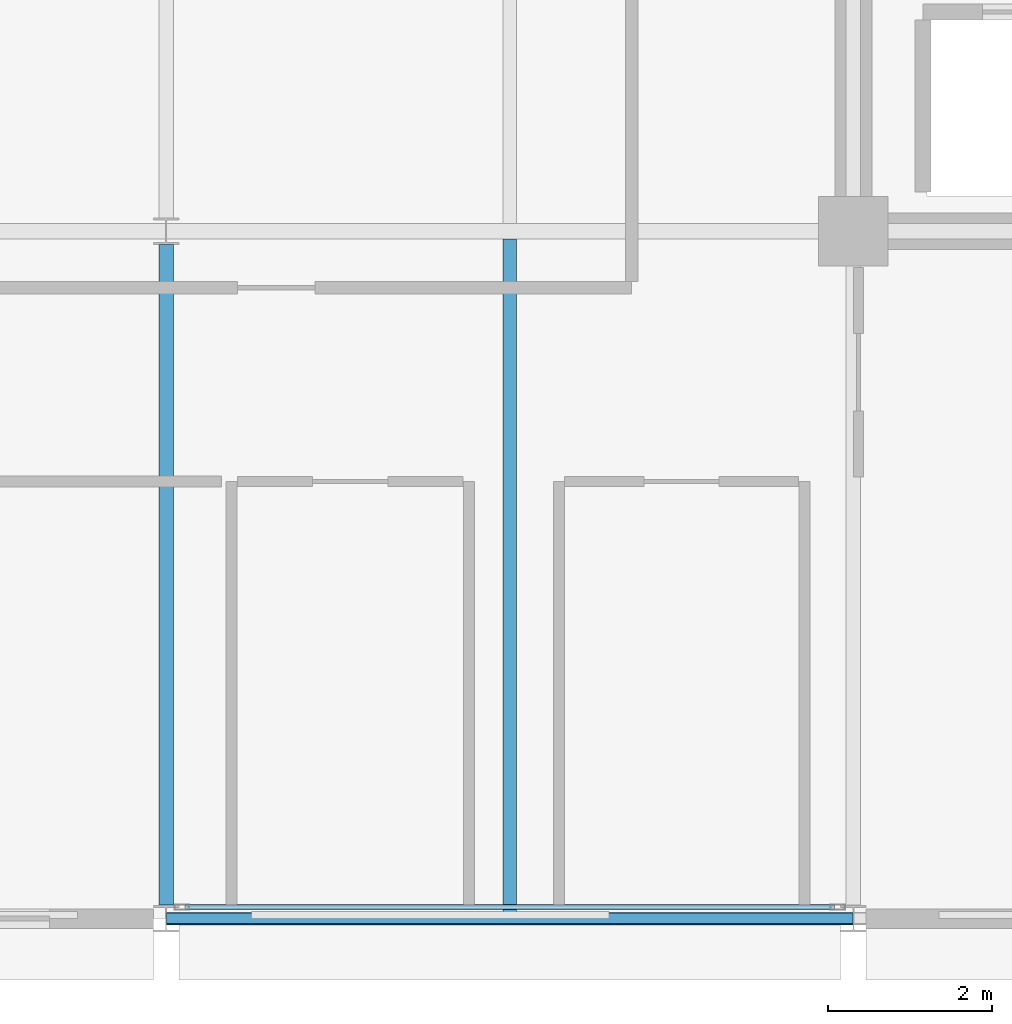
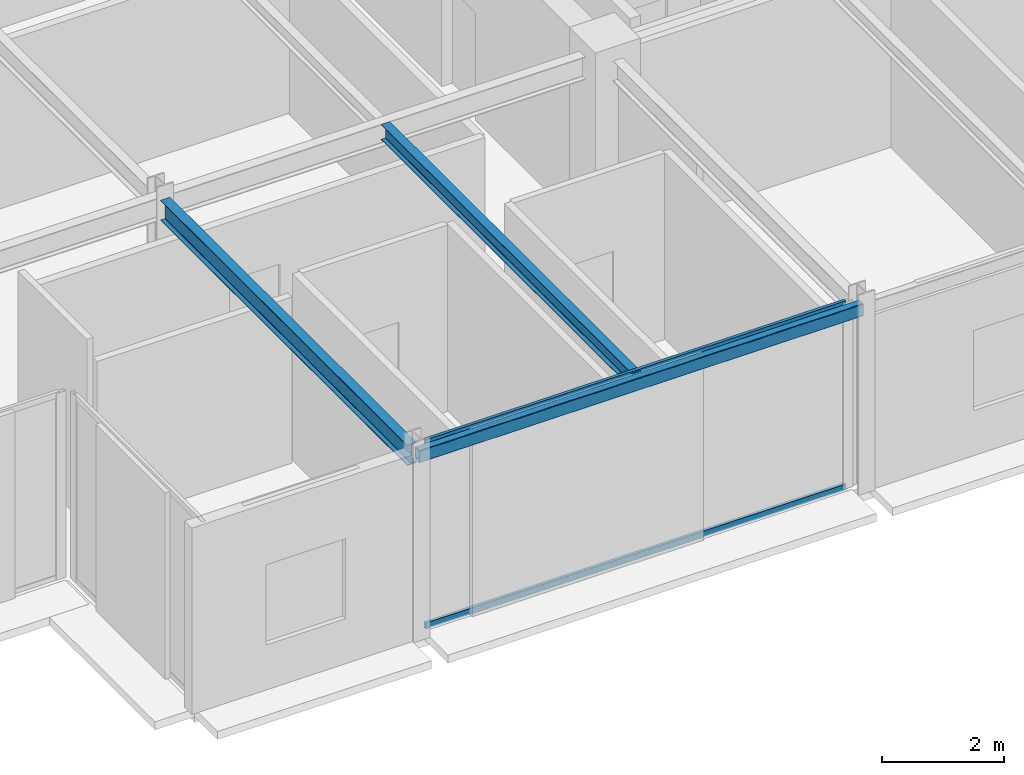
# One storey, part 4 of 25: 3 beams, 2 members, 1 element without a shape of its own.
"""IFC4 building model written with IfcOpenShell, lengths in metres."""

from ifc_helpers import new_model, si_unit, direction, frame, origin, origin_2d, place, context, subcontext, project, spatial, hollow_rectangle, i_section, extrude, material, layer, layer_set, material_profile, profile_set, type_object, element, aggregate, save


model = new_model("IFC4")

# Units and contexts
model_context = context("Model", 3, precision=1e-05, world=origin(), true_north=direction((0.0, 1.0)))
body_context = subcontext(model_context, "Body", "Model", "MODEL_VIEW")
ifc_project = project(units=[si_unit("LENGTHUNIT", "METRE"), si_unit("AREAUNIT", "SQUARE_METRE"), si_unit("VOLUMEUNIT", "CUBIC_METRE"), si_unit("PLANEANGLEUNIT", "RADIAN"), si_unit("MASSUNIT", "GRAM", prefix="KILO")], contexts=[model_context])

# Site, building, storey
site_placement = place(None, origin())
site = spatial("IfcSite", under=ifc_project, at=site_placement, CompositionType="ELEMENT")
building_placement = place(site_placement, origin())
building = spatial("IfcBuilding", under=site, at=building_placement, Name="Nerrivon Quay Data Exchange", CompositionType="ELEMENT")
storey_placement = place(building_placement, frame((0.0, 0.0, 290.199951171875)))
storey = spatial("IfcBuildingStorey", under=building, at=storey_placement, Name="L69", CompositionType="ELEMENT", Elevation=290.199951171875)

# Beams
ifc_material_1 = material(Name="Steel Grade 350", Category="steel")
ifc_material_profile_1 = material_profile(ifc_material_1, i_section(OverallWidth=0.177978515625, OverallDepth=0.406005859375, WebThickness=0.0078125, FlangeThickness=0.0126953125, FilletRadius=0.011474609375, at=origin_2d()), Name="410UB59.7")
ifc_profile_set_1 = profile_set([ifc_material_profile_1], Name="Steel Grade 350")
beam_type_1 = type_object("IfcBeamType", Name="BM-J1-410UB60", PredefinedType="JOIST", material=ifc_profile_set_1)
beam_1_placement = place(storey_placement, frame((8.39990234375, 0.16357421875, 3.52197265625), z_axis=(0.0, 1.0, 0.0), x_axis=(-1.0, 0.0, 0.0)))
element("IfcBeam", 1, at=beam_1_placement, inside=storey, type_object=beam_type_1, Name="L69 NS Girder X=8.4 (0.0..8.4)", PredefinedType="JOIST", context=body_context, shape_type="SweptSolid", body=[
    extrude(i_section(OverallWidth=0.177978515625, OverallDepth=0.406005859375, WebThickness=0.0078125, FlangeThickness=0.0126953125, FilletRadius=0.011474609375, at=origin_2d()), origin(), (0.0, 0.0, 1.0), 8.072998046875),
])
ifc_material_profile_2 = material_profile(ifc_material_1, i_section(OverallWidth=0.1650390625, OverallDepth=0.303955078125, WebThickness=0.006103515625, FlangeThickness=0.01025390625, FilletRadius=0.011474609375, at=origin_2d()), Name="310UB40.4")
ifc_profile_set_2 = profile_set([ifc_material_profile_2], Name="Steel Grade 350")
beam_type_2 = type_object("IfcBeamType", Name="BM-J6-310UB40", PredefinedType="JOIST", material=ifc_profile_set_2)
beam_2_placement = place(storey_placement, frame((12.60009765625, 0.074951171875, 3.572998046875), z_axis=(0.0, 1.0, 0.0), x_axis=(-1.0, 0.0, 0.0)))
element("IfcBeam", 2, at=beam_2_placement, inside=storey, type_object=beam_type_2, Name="L69 Secondary Joist X=12.6 (0.0..8.4)", PredefinedType="JOIST", context=body_context, shape_type="SweptSolid", body=[
    extrude(i_section(OverallWidth=0.1650390625, OverallDepth=0.303955078125, WebThickness=0.006103515625, FlangeThickness=0.01025390625, FilletRadius=0.011474609375, at=origin_2d()), origin(), (0.0, 0.0, 1.0), 8.22998046875),
])
ifc_material_2 = material(Name="Steel Grade C350L0 (350 MPa)", Category="steel")
ifc_material_profile_3 = material_profile(ifc_material_2, hollow_rectangle(XDim=0.14990234375, YDim=0.25, WallThickness=0.009033203125, InnerFilletRadius=0.013427734375, OuterFilletRadius=0.0224609375, at=origin_2d()), Name="250x150x9.0RHS")
ifc_profile_set_3 = profile_set([ifc_material_profile_3], Name="Steel Grade C350L0 (350 MPa)")
beam_type_3 = type_object("IfcBeamType", Name="BM-SP4-250x150RHS", PredefinedType="SPANDREL", material=ifc_profile_set_3)
beam_3_placement = place(storey_placement, frame((8.40771484375, 0.0, 3.60009765625), z_axis=(1.0, 0.0, 0.0), x_axis=(0.0, 1.0, 0.0)))
element("IfcBeam", 3, at=beam_3_placement, inside=storey, type_object=beam_type_3, Name="L69 EW Girder Y=0.0 (8.4..16.8)", PredefinedType="SPANDREL", context=body_context, shape_type="SweptSolid", body=[
    extrude(hollow_rectangle(XDim=0.14990234375, YDim=0.25, WallThickness=0.009033203125, InnerFilletRadius=0.013427734375, OuterFilletRadius=0.0224609375, at=origin_2d()), origin(), (0.0, 0.0, 1.0), 8.38427734375),
])

# Curtain wall, members
ifc_material_3 = material(Name="Anodised aluminium 6063-T6", Category="aluminium")
ifc_layer = layer(ifc_material_3, 0.195068359375)
ifc_layer_set = layer_set([ifc_layer], Name="Anodised aluminium 6063-T6")
curtain_wall_type = type_object("IfcCurtainWallType", Name="CW-SYS-06", PredefinedType="NOTDEFINED", material=ifc_layer_set)
curtain_wall_placement = place(storey_placement, origin())
curtain_wall = element("IfcCurtainWall", 4, at=curtain_wall_placement, inside=storey, type_object=curtain_wall_type, Name="L69 Unitised Curtain Wall 4", PredefinedType="NOTDEFINED")
ifc_material_profile_4 = material_profile(ifc_material_3, hollow_rectangle(XDim=0.06005859375, YDim=0.1201171875, WallThickness=0.003173828125, at=origin_2d()), Name="ALU-TRAN-120x60")
ifc_profile_set_4 = profile_set([ifc_material_profile_4], Name="Anodised aluminium 6063-T6")
member_type = type_object("IfcMemberType", Name="CWT-120x60", PredefinedType="USERDEFINED", material=ifc_profile_set_4)
member_1_placement = place(storey_placement, frame((16.569580078125, 0.139892578125, 0.032470703125), z_axis=(-1.0, 0.0, 0.0), x_axis=(0.0, -1.0, 0.0)))
member_1 = element("IfcMember", 5, at=member_1_placement, type_object=member_type, Name="CW06 transom 1.1", ObjectType="TRANSOM", PredefinedType="USERDEFINED", context=body_context, shape_type="SweptSolid", body=[
    extrude(hollow_rectangle(XDim=0.06005859375, YDim=0.1201171875, WallThickness=0.003173828125, at=origin_2d()), origin(), (0.0, 0.0, 1.0), 7.93896484375),
])
member_2_placement = place(storey_placement, frame((16.569580078125, 0.139892578125, 3.692626953125), z_axis=(-1.0, 0.0, 0.0), x_axis=(0.0, -1.0, 0.0)))
member_2 = element("IfcMember", 6, at=member_2_placement, type_object=member_type, Name="CW06 transom 1.2", ObjectType="TRANSOM", PredefinedType="USERDEFINED", context=body_context, shape_type="SweptSolid", body=[
    extrude(hollow_rectangle(XDim=0.06005859375, YDim=0.1201171875, WallThickness=0.003173828125, at=origin_2d()), origin(), (0.0, 0.0, 1.0), 7.93896484375),
])
aggregate(curtain_wall, [member_1, member_2])

save(model, "model.ifc")
